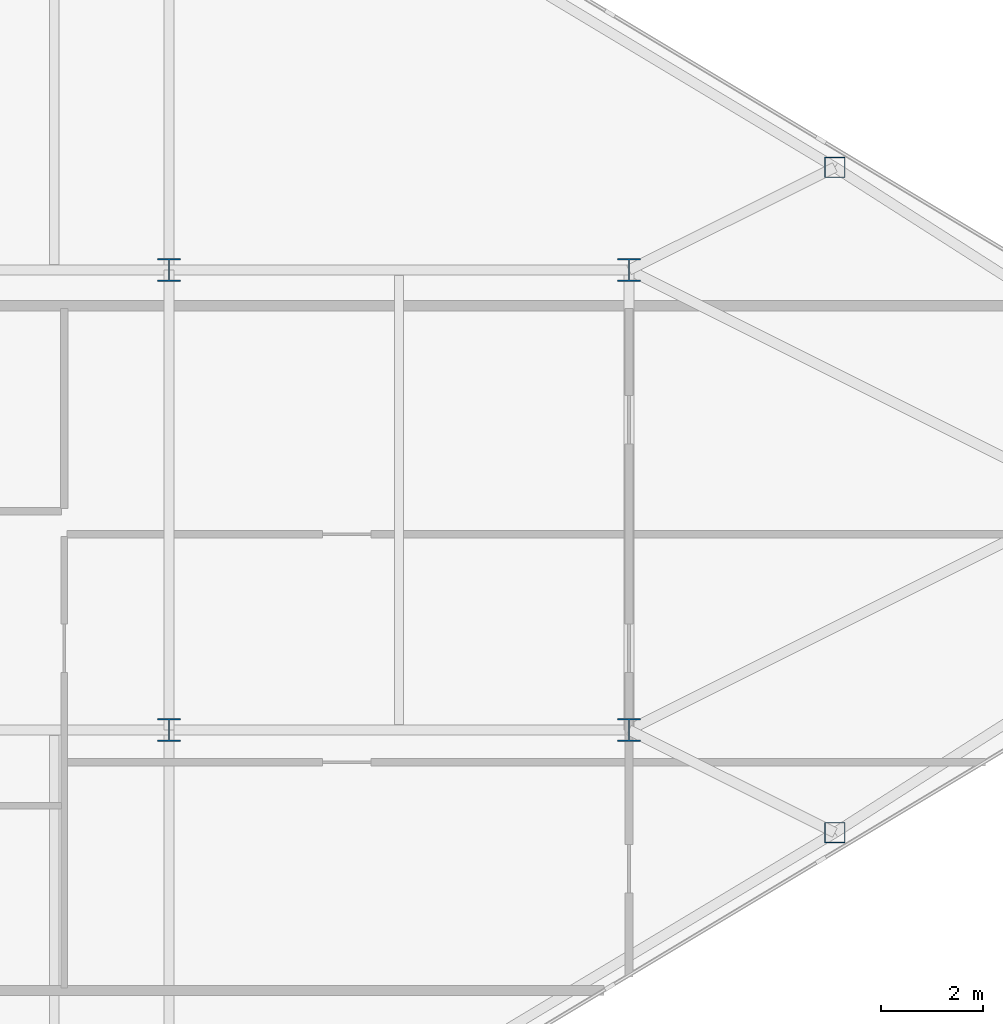
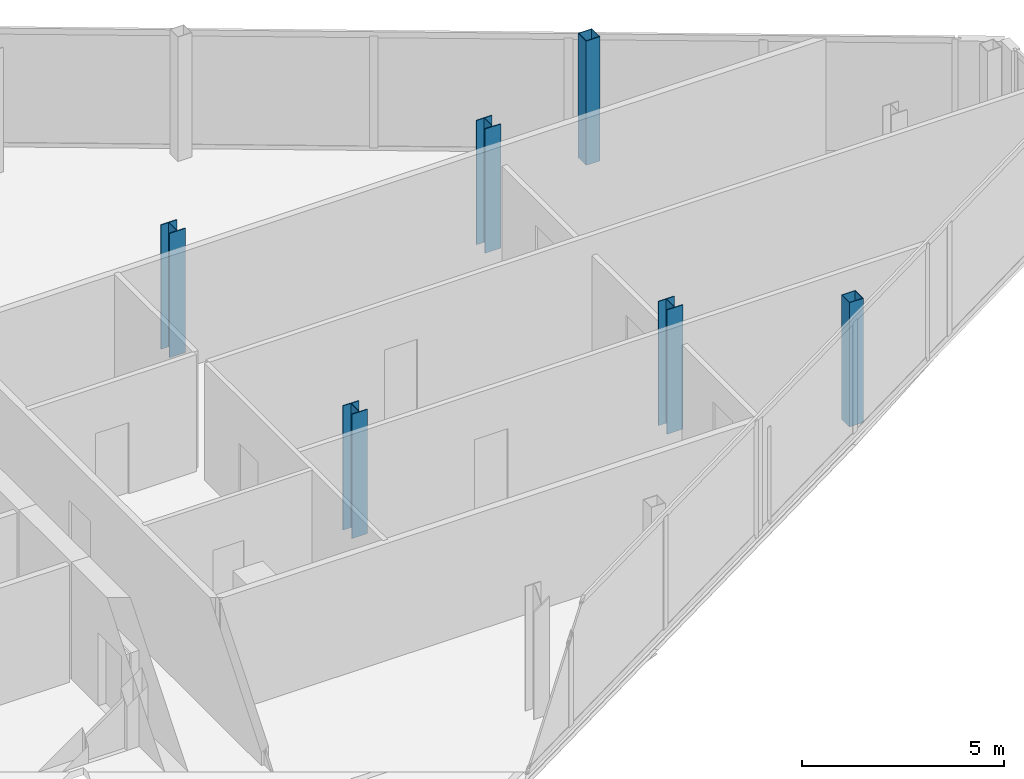
# One storey, part 5 of 29: 6 columns.
"""IFC4 building model written with IfcOpenShell, lengths in metres."""

from ifc_helpers import new_model, si_unit, direction, frame, origin, origin_2d, place, context, subcontext, project, spatial, hollow_rectangle, i_section, extrude, source, transform, mapped, material, material_profile, profile_set, type_object, type_shapes, element, save


model = new_model("IFC4")

# Units and contexts
model_context = context("Model", 3, precision=1e-05, world=origin(), true_north=direction((0.0, 1.0)))
body_context = subcontext(model_context, "Body", "Model", "MODEL_VIEW")
ifc_project = project(units=[si_unit("LENGTHUNIT", "METRE"), si_unit("AREAUNIT", "SQUARE_METRE"), si_unit("VOLUMEUNIT", "CUBIC_METRE"), si_unit("PLANEANGLEUNIT", "RADIAN"), si_unit("MASSUNIT", "GRAM", prefix="KILO")], contexts=[model_context])

# Site, building, storey
site_placement = place(None, origin())
site = spatial("IfcSite", under=ifc_project, at=site_placement, CompositionType="ELEMENT")
building_placement = place(site_placement, origin())
building = spatial("IfcBuilding", under=site, at=building_placement, Name="Seokmaru Belvedere", CompositionType="ELEMENT")
storey_placement = place(building_placement, frame((0.0, 0.0, 258.14990234375)))
storey = spatial("IfcBuildingStorey", under=building, at=storey_placement, Name="L68", CompositionType="ELEMENT", Elevation=258.14990234375)

# Columns
ifc_material = material(Name="Steel SM355 (355 MPa)", Category="steel")
ifc_material_profile_1 = material_profile(ifc_material, i_section(OverallWidth=0.449951171875, OverallDepth=0.449951171875, WebThickness=0.01611328125, FlangeThickness=0.02490234375, at=origin_2d()), Name="H-450x450x16x25")
ifc_profile_set_1 = profile_set([ifc_material_profile_1], Name="Steel SM355 (355 MPa)")
column_type_1 = type_object("IfcColumnType", Name="Sky-Gate Column H-450", PredefinedType="COLUMN", material=ifc_profile_set_1)
shared_shape_1 = source(origin(), body_context, "Body", "SweptSolid", [
    extrude(i_section(OverallWidth=0.449951171875, OverallDepth=0.449951171875, WebThickness=0.01611328125, FlangeThickness=0.02490234375, at=origin_2d()), origin(), (0.0, 0.0, 1.0), 3.75),
])
type_shapes(column_type_1, [shared_shape_1])
for number, where, z_axis, x_axis, name in (
    (1, (45.5, -4.5, 0.0), (0.0, 0.0, 1.0), (1.0, 0.0, 0.0), "L68 Column EG5_2"),
    (2, (45.5, 4.5, 0.0), (0.0, 0.0, 1.0), (1.0, 0.0, 0.0), "L68 Column EG5_3"),
    (3, (54.5, -4.5, 0.0), (0.0, 0.0, 1.0), (1.0, 0.0, 0.0), "L68 Column EG4P_1"),
    (4, (54.5, 4.5, 0.0), (0.0, 0.0, 1.0), (1.0, 0.0, 0.0), "L68 Column EG4P_2"),
):
    element("IfcColumn", number, at=place(storey_placement, frame(where, z_axis=z_axis, x_axis=x_axis)), inside=storey, type_object=column_type_1, Name=name, PredefinedType="COLUMN", context=body_context, shape_type="MappedRepresentation", body=[
        mapped(shared_shape_1, transform((0.0, 0.0, 0.0), scale=1.0)),
    ])
ifc_material_profile_2 = material_profile(ifc_material, hollow_rectangle(XDim=0.39990234375, YDim=0.39990234375, WallThickness=0.01611328125, at=origin_2d()), Name="HSS-400x400x16")
ifc_profile_set_2 = profile_set([ifc_material_profile_2], Name="Steel SM355 (355 MPa)")
column_type_2 = type_object("IfcColumnType", Name="Perimeter Facet Column HSS-400", PredefinedType="COLUMN", material=ifc_profile_set_2)
shared_shape_2 = source(origin(), body_context, "Body", "SweptSolid", [
    extrude(hollow_rectangle(XDim=0.39990234375, YDim=0.39990234375, WallThickness=0.01611328125, at=origin_2d()), origin(), (0.0, 0.0, 1.0), 3.75),
])
type_shapes(column_type_2, [shared_shape_2])
for number, where, z_axis, x_axis, name in (
    (5, (58.530029296875, -6.5087890625, 0.0), (0.0, 0.0, 1.0), (1.0, 0.0, 0.0), "L68 Column EFLK_S3"),
    (6, (58.530029296875, 6.5087890625, 0.0), (0.0, 0.0, 1.0), (1.0, 0.0, 0.0), "L68 Column EFLK_N3"),
):
    element("IfcColumn", number, at=place(storey_placement, frame(where, z_axis=z_axis, x_axis=x_axis)), inside=storey, type_object=column_type_2, Name=name, PredefinedType="COLUMN", context=body_context, shape_type="MappedRepresentation", body=[
        mapped(shared_shape_2, transform((0.0, 0.0, 0.0), scale=1.0)),
    ])

save(model, "model.ifc")
